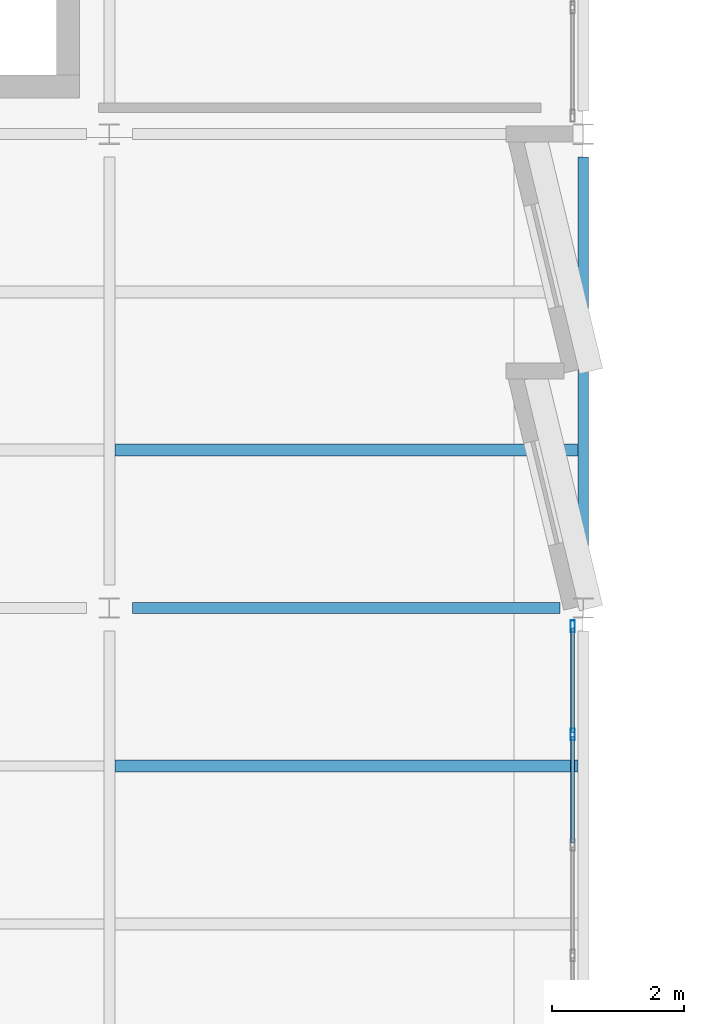
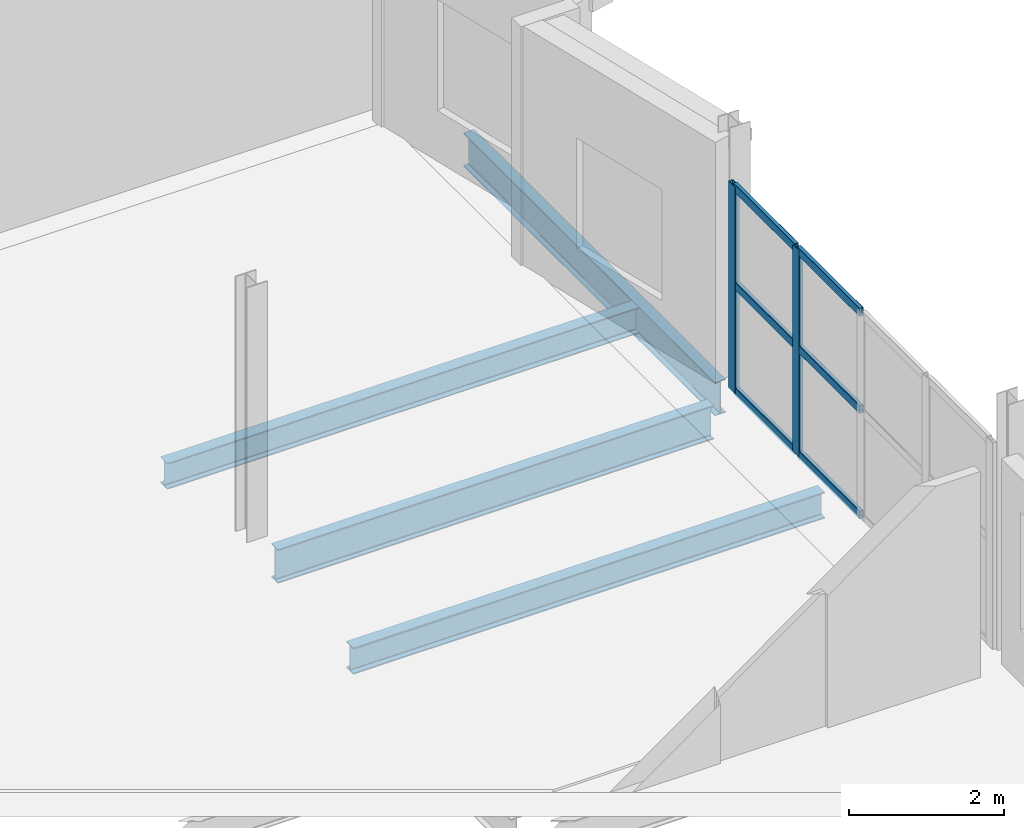
# One storey, part 7 of 18: 8 members, 4 beams, 1 element without a shape of its own.
"""IFC4 building model written with IfcOpenShell, lengths in metres."""

from ifc_helpers import new_model, si_unit, direction, frame, origin, origin_2d, place, context, subcontext, project, spatial, hollow_rectangle, i_section, extrude, material, material_profile, profile_set, type_object, element, aggregate, save


model = new_model("IFC4")

# Units and contexts
model_context = context("Model", 3, precision=1e-05, world=origin(), true_north=direction((0.0, 1.0)))
body_context = subcontext(model_context, "Body", "Model", "MODEL_VIEW")
ifc_project = project(units=[si_unit("LENGTHUNIT", "METRE"), si_unit("AREAUNIT", "SQUARE_METRE"), si_unit("VOLUMEUNIT", "CUBIC_METRE"), si_unit("PLANEANGLEUNIT", "RADIAN"), si_unit("MASSUNIT", "GRAM", prefix="KILO")], contexts=[model_context])

# Site, building, storey
site_placement = place(None, origin())
site = spatial("IfcSite", under=ifc_project, at=site_placement, CompositionType="ELEMENT")
building_placement = place(site_placement, origin())
building = spatial("IfcBuilding", under=site, at=building_placement, Name="Kalmorath City Hall", CompositionType="ELEMENT")
storey_placement = place(building_placement, frame((0.0, 0.0, 27.0)))
storey = spatial("IfcBuildingStorey", under=building, at=storey_placement, Name="L06", CompositionType="ELEMENT", Elevation=27.0)

# Curtain wall, members
ifc_material_1 = material(Name="Anodised aluminium and laminated glass", Category="aluminium")
curtain_wall_type = type_object("IfcCurtainWallType", Name="Unitised hurricane curtain wall 6712x3256 M1600", PredefinedType="NOTDEFINED", material=ifc_material_1)
curtain_wall_placement = place(storey_placement, origin())
curtain_wall = element("IfcCurtainWall", 1, at=curtain_wall_placement, inside=storey, type_object=curtain_wall_type, Name="L06 curtain wall CW-67X33M16 #174", PredefinedType="NOTDEFINED")
ifc_material_2 = material(Name="Anodised aluminium framing", Category="aluminium")
ifc_material_profile_1 = material_profile(ifc_material_2, hollow_rectangle(XDim=0.06494140625, YDim=0.179931640625, WallThickness=0.00390625, InnerFilletRadius=0.00390625, OuterFilletRadius=0.008056640625, at=origin_2d()), Name="ALU-MUL-180X65X4")
ifc_profile_set_1 = profile_set([ifc_material_profile_1], Name="Anodised aluminium framing")
member_type_1 = type_object("IfcMemberType", Name="Curtain-wall courtyard mullion 180x65", PredefinedType="MULLION", material=ifc_profile_set_1)
member_1_placement = place(storey_placement, frame((21.43994140625, 41.278076171875, 0.0), z_axis=(0.0, 0.0, 1.0), x_axis=(-1.0, 0.0, 0.0)))
member_1 = element("IfcMember", 2, at=member_1_placement, type_object=member_type_1, Name="CW-67X33M16 mullion 4", PredefinedType="MULLION", context=body_context, shape_type="SweptSolid", body=[
    extrude(hollow_rectangle(XDim=0.06494140625, YDim=0.179931640625, WallThickness=0.00390625, InnerFilletRadius=0.00390625, OuterFilletRadius=0.008056640625, at=origin_2d()), origin(), (0.0, 0.0, 1.0), 3.256103515625),
])
member_2_placement = place(storey_placement, frame((21.43994140625, 42.923583984375, 0.0), z_axis=(0.0, 0.0, 1.0), x_axis=(-1.0, 0.0, 0.0)))
member_2 = element("IfcMember", 3, at=member_2_placement, type_object=member_type_1, Name="CW-67X33M16 mullion 5", PredefinedType="MULLION", context=body_context, shape_type="SweptSolid", body=[
    extrude(hollow_rectangle(XDim=0.06494140625, YDim=0.179931640625, WallThickness=0.00390625, InnerFilletRadius=0.00390625, OuterFilletRadius=0.008056640625, at=origin_2d()), origin(), (0.0, 0.0, 1.0), 3.256103515625),
])
ifc_material_3 = material(Name="Anodised aluminium framing", Category="aluminium")
ifc_material_profile_2 = material_profile(ifc_material_3, hollow_rectangle(XDim=0.06005859375, YDim=0.1298828125, WallThickness=0.00341796875, InnerFilletRadius=0.00341796875, OuterFilletRadius=0.007080078125, at=origin_2d()), Name="ALU-TRN-130X60X3.5")
ifc_profile_set_2 = profile_set([ifc_material_profile_2], Name="Anodised aluminium framing")
member_type_2 = type_object("IfcMemberType", Name="Curtain-wall courtyard transom 130x60", PredefinedType="USERDEFINED", material=ifc_profile_set_2)
member_3_placement = place(storey_placement, frame((21.43994140625, 39.632568359375, 0.030029296875), z_axis=(0.0, 1.0, 0.0), x_axis=(-1.0, 0.0, 0.0)))
member_3 = element("IfcMember", 4, at=member_3_placement, type_object=member_type_2, Name="CW-67X33M16 transom 3.1", ObjectType="TRANSOM", PredefinedType="USERDEFINED", context=body_context, shape_type="SweptSolid", body=[
    extrude(hollow_rectangle(XDim=0.06005859375, YDim=0.1298828125, WallThickness=0.00341796875, InnerFilletRadius=0.00341796875, OuterFilletRadius=0.007080078125, at=origin_2d()), origin(), (0.0, 0.0, 1.0), 1.613037109375),
])
member_4_placement = place(storey_placement, frame((21.43994140625, 39.632568359375, 1.693115234375), z_axis=(0.0, 1.0, 0.0), x_axis=(-1.0, 0.0, 0.0)))
member_4 = element("IfcMember", 5, at=member_4_placement, type_object=member_type_2, Name="CW-67X33M16 transom 3.2", ObjectType="TRANSOM", PredefinedType="USERDEFINED", context=body_context, shape_type="SweptSolid", body=[
    extrude(hollow_rectangle(XDim=0.06005859375, YDim=0.1298828125, WallThickness=0.00341796875, InnerFilletRadius=0.00341796875, OuterFilletRadius=0.007080078125, at=origin_2d()), origin(), (0.0, 0.0, 1.0), 1.613037109375),
])
member_5_placement = place(storey_placement, frame((21.43994140625, 39.632568359375, 3.22607421875), z_axis=(0.0, 1.0, 0.0), x_axis=(-1.0, 0.0, 0.0)))
member_5 = element("IfcMember", 6, at=member_5_placement, type_object=member_type_2, Name="CW-67X33M16 transom 3.3", ObjectType="TRANSOM", PredefinedType="USERDEFINED", context=body_context, shape_type="SweptSolid", body=[
    extrude(hollow_rectangle(XDim=0.06005859375, YDim=0.1298828125, WallThickness=0.00341796875, InnerFilletRadius=0.00341796875, OuterFilletRadius=0.007080078125, at=origin_2d()), origin(), (0.0, 0.0, 1.0), 1.613037109375),
])
member_6_placement = place(storey_placement, frame((21.43994140625, 41.310546875, 0.030029296875), z_axis=(0.0, 1.0, 0.0), x_axis=(-1.0, 0.0, 0.0)))
member_6 = element("IfcMember", 7, at=member_6_placement, type_object=member_type_2, Name="CW-67X33M16 transom 4.1", ObjectType="TRANSOM", PredefinedType="USERDEFINED", context=body_context, shape_type="SweptSolid", body=[
    extrude(hollow_rectangle(XDim=0.06005859375, YDim=0.1298828125, WallThickness=0.00341796875, InnerFilletRadius=0.00341796875, OuterFilletRadius=0.007080078125, at=origin_2d()), origin(), (0.0, 0.0, 1.0), 1.58056640625),
])
member_7_placement = place(storey_placement, frame((21.43994140625, 41.310546875, 1.693115234375), z_axis=(0.0, 1.0, 0.0), x_axis=(-1.0, 0.0, 0.0)))
member_7 = element("IfcMember", 8, at=member_7_placement, type_object=member_type_2, Name="CW-67X33M16 transom 4.2", ObjectType="TRANSOM", PredefinedType="USERDEFINED", context=body_context, shape_type="SweptSolid", body=[
    extrude(hollow_rectangle(XDim=0.06005859375, YDim=0.1298828125, WallThickness=0.00341796875, InnerFilletRadius=0.00341796875, OuterFilletRadius=0.007080078125, at=origin_2d()), origin(), (0.0, 0.0, 1.0), 1.58056640625),
])
member_8_placement = place(storey_placement, frame((21.43994140625, 41.310546875, 3.22607421875), z_axis=(0.0, 1.0, 0.0), x_axis=(-1.0, 0.0, 0.0)))
member_8 = element("IfcMember", 9, at=member_8_placement, type_object=member_type_2, Name="CW-67X33M16 transom 4.3", ObjectType="TRANSOM", PredefinedType="USERDEFINED", context=body_context, shape_type="SweptSolid", body=[
    extrude(hollow_rectangle(XDim=0.06005859375, YDim=0.1298828125, WallThickness=0.00341796875, InnerFilletRadius=0.00341796875, OuterFilletRadius=0.007080078125, at=origin_2d()), origin(), (0.0, 0.0, 1.0), 1.58056640625),
])
aggregate(curtain_wall, [member_1, member_2, member_3, member_4, member_5, member_6, member_7, member_8])

# Beams
ifc_material_4 = material(Name="Steel ASTM A992 Grade 50", Category="steel")
ifc_material_profile_3 = material_profile(ifc_material_4, i_section(OverallWidth=0.178955078125, OverallDepth=0.409912109375, WebThickness=0.0087890625, FlangeThickness=0.014404296875, FilletRadius=0.012939453125, at=origin_2d()), Name="W16X45")
ifc_profile_set_3 = profile_set([ifc_material_profile_3], Name="Steel ASTM A992 Grade 50")
beam_type_1 = type_object("IfcBeamType", Name="Steel composite joist W16X45", PredefinedType="JOIST", material=ifc_profile_set_3)
beam_1_placement = place(storey_placement, frame((14.4833984375, 45.60009765625, -0.4990234375), z_axis=(1.0, 0.0, 0.0), x_axis=(0.0, 1.0, 0.0)))
element("IfcBeam", 10, at=beam_1_placement, inside=storey, type_object=beam_type_1, Name="L06 joist SJ6 3.7.1", PredefinedType="JOIST", context=body_context, shape_type="SweptSolid", body=[
    extrude(i_section(OverallWidth=0.178955078125, OverallDepth=0.409912109375, WebThickness=0.0087890625, FlangeThickness=0.014404296875, FilletRadius=0.012939453125, at=origin_2d()), origin(), (0.0, 0.0, 1.0), 7.0341796875),
])
ifc_material_5 = material(Name="Steel ASTM A992 Grade 50", Category="steel")
ifc_material_profile_4 = material_profile(ifc_material_5, i_section(OverallWidth=0.180908203125, OverallDepth=0.4169921875, WebThickness=0.010986328125, FlangeThickness=0.018310546875, FilletRadius=0.012939453125, at=origin_2d()), Name="W16X57")
ifc_profile_set_4 = profile_set([ifc_material_profile_4], Name="Steel ASTM A992 Grade 50")
beam_type_2 = type_object("IfcBeamType", Name="Steel composite joist W16X57", PredefinedType="JOIST", material=ifc_profile_set_4)
beam_2_placement = place(storey_placement, frame((14.4833984375, 40.800048828125, -0.50244140625), z_axis=(1.0, 0.0, 0.0), x_axis=(0.0, 1.0, 0.0)))
element("IfcBeam", 11, at=beam_2_placement, inside=storey, type_object=beam_type_2, Name="L06 joist SJ5 3.6.2", PredefinedType="JOIST", context=body_context, shape_type="SweptSolid", body=[
    extrude(i_section(OverallWidth=0.180908203125, OverallDepth=0.4169921875, WebThickness=0.010986328125, FlangeThickness=0.018310546875, FilletRadius=0.012939453125, at=origin_2d()), origin(), (0.0, 0.0, 1.0), 7.0341796875),
])
ifc_material_6 = material(Name="Steel ASTM A992 Grade 50", Category="steel")
ifc_material_profile_5 = material_profile(ifc_material_6, i_section(OverallWidth=0.1669921875, OverallDepth=0.534912109375, WebThickness=0.01025390625, FlangeThickness=0.0166015625, FilletRadius=0.014892578125, at=origin_2d()), Name="W21X57")
ifc_profile_set_5 = profile_set([ifc_material_profile_5], Name="Steel ASTM A992 Grade 50")
beam_type_3 = type_object("IfcBeamType", Name="Steel floor beam W21X57", PredefinedType="BEAM", material=ifc_profile_set_5)
beam_3_placement = place(storey_placement, frame((14.75, 43.199951171875, -0.5615234375), z_axis=(1.0, 0.0, 0.0), x_axis=(0.0, 1.0, 0.0)))
element("IfcBeam", 12, at=beam_3_placement, inside=storey, type_object=beam_type_3, Name="L06 girder SB3 X3-4/7", PredefinedType="BEAM", context=body_context, shape_type="SweptSolid", body=[
    extrude(i_section(OverallWidth=0.1669921875, OverallDepth=0.534912109375, WebThickness=0.01025390625, FlangeThickness=0.0166015625, FilletRadius=0.014892578125, at=origin_2d()), origin(), (0.0, 0.0, 1.0), 6.5),
])
ifc_material_7 = material(Name="Steel ASTM A992 Grade 50", Category="steel")
ifc_material_profile_6 = material_profile(ifc_material_7, i_section(OverallWidth=0.1650390625, OverallDepth=0.52490234375, WebThickness=0.0087890625, FlangeThickness=0.011474609375, FilletRadius=0.014892578125, at=origin_2d()), Name="W21X44")
ifc_profile_set_6 = profile_set([ifc_material_profile_6], Name="Steel ASTM A992 Grade 50")
beam_type_4 = type_object("IfcBeamType", Name="Steel spandrel beam W21X44", PredefinedType="SPANDREL", material=ifc_profile_set_6)
beam_4_placement = place(storey_placement, frame((21.60009765625, 43.550048828125, -0.556396484375), z_axis=(0.0, 1.0, 0.0), x_axis=(-1.0, 0.0, 0.0)))
element("IfcBeam", 13, at=beam_4_placement, inside=storey, type_object=beam_type_4, Name="L06 girder SB4 Y4/7-8", PredefinedType="SPANDREL", context=body_context, shape_type="SweptSolid", body=[
    extrude(i_section(OverallWidth=0.1650390625, OverallDepth=0.52490234375, WebThickness=0.0087890625, FlangeThickness=0.011474609375, FilletRadius=0.014892578125, at=origin_2d()), origin(), (0.0, 0.0, 1.0), 6.5),
])

save(model, "model.ifc")
